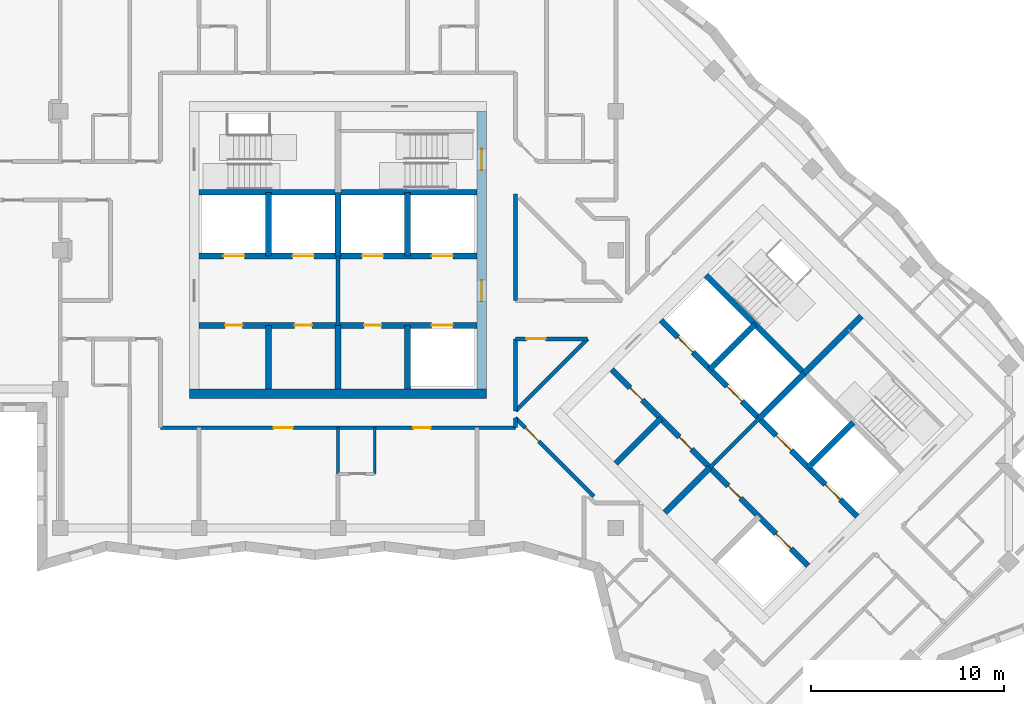
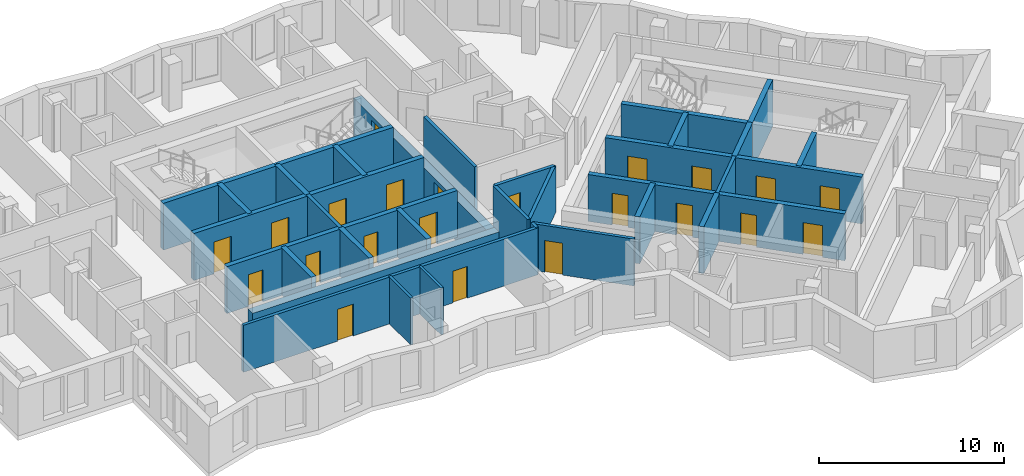
# One storey, part 4 of 12: 32 walls, 22 doors, 22 openings.
"""IFC4 building model written with IfcOpenShell, lengths in metres."""

from ifc_helpers import new_model, si_unit, direction, frame, frame_2d, origin, place, context, subcontext, project, spatial, rectangle, extrude, material, layer, layer_set, type_object, element, fill, save


model = new_model("IFC4")

# Units and contexts
model_context = context("Model", 3, precision=1e-05, world=origin(), true_north=direction((0.0, 1.0)))
body_context = subcontext(model_context, "Body", "Model", "MODEL_VIEW")
ifc_project = project(units=[si_unit("LENGTHUNIT", "METRE"), si_unit("AREAUNIT", "SQUARE_METRE"), si_unit("VOLUMEUNIT", "CUBIC_METRE"), si_unit("PLANEANGLEUNIT", "RADIAN"), si_unit("MASSUNIT", "GRAM", prefix="KILO")], contexts=[model_context])

# Site, building, storey
site_placement = place(None, origin())
site = spatial("IfcSite", under=ifc_project, at=site_placement, CompositionType="ELEMENT")
building_placement = place(site_placement, origin())
building = spatial("IfcBuilding", under=site, at=building_placement, Name="Windrow Commons", CompositionType="ELEMENT")
storey_placement = place(building_placement, frame((0.0, 0.0, 206.6)))
storey = spatial("IfcBuildingStorey", under=building, at=storey_placement, Name="L56", CompositionType="ELEMENT", Elevation=206.6)

# Walls
ifc_material_1 = material(Name="Blockwork partition", Category="masonry")
ifc_layer_1 = layer(ifc_material_1, 0.2)
ifc_layer_set_1 = layer_set([ifc_layer_1], Name="Fire lobby partition 200")
wall_type_1 = type_object("IfcWallType", Name="Fire lobby partition 200", PredefinedType="PARTITIONING", material=ifc_layer_set_1)
for number, where, z_axis, x_axis, name in (
    (1, (64.8, 53.7, 0.0), (0.0, 0.0, 1.0), (0.0, 1.0, 0.0), "W-core-lobby-A-L56"),
    (2, (84.079, 46.332, 0.0), (0.0, 0.0, 1.0), (0.7071067812, 0.7071067812, 0.0), "W-core-lobby-B-L56"),
):
    element("IfcWall", number, at=place(storey_placement, frame(where, z_axis=z_axis, x_axis=x_axis)), inside=storey, type_object=wall_type_1, Name=name, PredefinedType="PARTITIONING", context=body_context, shape_type="SweptSolid", body=[
        extrude(rectangle(XDim=3.6, YDim=0.2, at=frame_2d((1.8, 0.0))), origin(), (0.0, 0.0, 1.0), 3.1),
    ])

# Wall, openings, doors
ifc_material_2 = material(Name="Blockwork partition", Category="masonry")
ifc_layer_2 = layer(ifc_material_2, 0.2)
ifc_layer_set_2 = layer_set([ifc_layer_2], Name="IW-CORRIDOR-200")
wall_type_2 = type_object("IfcWallType", Name="IW-CORRIDOR-200", PredefinedType="PARTITIONING", material=ifc_layer_set_2)
wall_1_placement = place(storey_placement, frame((55.6, 48.4, 0.0), z_axis=(0.0, 0.0, 1.0), x_axis=(1.0, 0.0, 0.0)))
wall_1 = element("IfcWall", 3, at=wall_1_placement, inside=storey, type_object=wall_type_2, Name="W-L56-W000", PredefinedType="PARTITIONING", context=body_context, shape_type="SweptSolid", body=[
    extrude(rectangle(XDim=18.4, YDim=0.2, at=frame_2d((9.2, 0.0))), origin(), (0.0, 0.0, 1.0), 3.1),
])
opening_1_placement = place(wall_1_placement, frame((5.8625, 0.0, 0.0)))
opening_1 = element("IfcOpeningElement", 4, at=opening_1_placement, cuts=wall_1, Name="Opening D310F", PredefinedType="OPENING", context=body_context, shape_type="SweptSolid", body=[
    extrude(rectangle(XDim=1.0, YDim=2.1, at=frame_2d((0.5, 1.05))), frame((0.0, 0.11, 0.0), z_axis=(0.0, -1.0, 0.0), x_axis=(1.0, 0.0, 0.0)), (0.0, 0.0, 1.0), 0.22),
])
opening_2_placement = place(wall_1_placement, frame((13.0994, 0.0, 0.0)))
opening_2 = element("IfcOpeningElement", 5, at=opening_2_placement, cuts=wall_1, Name="Opening D109F", PredefinedType="OPENING", context=body_context, shape_type="SweptSolid", body=[
    extrude(rectangle(XDim=0.9, YDim=2.1, at=frame_2d((0.45, 1.05))), frame((0.0, 0.11, 0.0), z_axis=(0.0, -1.0, 0.0), x_axis=(1.0, 0.0, 0.0)), (0.0, 0.0, 1.0), 0.22),
])
ifc_material_3 = material(Name="Timber door leaf", Category="wood")
door_type_1 = type_object("IfcDoorType", Name="DT-AMENITY-1000", OperationType="SINGLE_SWING_LEFT", PredefinedType="DOOR", material=ifc_material_3)
door_1_placement = place(opening_1_placement, origin())
door_1 = element("IfcDoor", 6, at=door_1_placement, inside=storey, type_object=door_type_1, Name="D-L56-D030", OperationType="SINGLE_SWING_LEFT", OverallHeight=2.1, OverallWidth=1.0, PredefinedType="DOOR", context=body_context, shape_type="SweptSolid", body=[
    extrude(rectangle(XDim=1.0, YDim=2.1, at=frame_2d((0.5, 1.05))), frame((0.0, 0.025, 0.0), z_axis=(0.0, -1.0, 0.0), x_axis=(1.0, 0.0, 0.0)), (0.0, 0.0, 1.0), 0.05),
])
fill(opening_1, door_1)
ifc_material_4 = material(Name="Timber door leaf", Category="wood")
door_type_2 = type_object("IfcDoorType", Name="DT-BEDROOM-900", OperationType="SINGLE_SWING_LEFT", PredefinedType="DOOR", material=ifc_material_4)
door_2_placement = place(opening_2_placement, origin())
door_2 = element("IfcDoor", 7, at=door_2_placement, inside=storey, type_object=door_type_2, Name="D-L56-D031", OperationType="SINGLE_SWING_LEFT", OverallHeight=2.1, OverallWidth=0.9, PredefinedType="DOOR", context=body_context, shape_type="SweptSolid", body=[
    extrude(rectangle(XDim=0.9, YDim=2.1, at=frame_2d((0.45, 1.05))), frame((0.0, 0.025, 0.0), z_axis=(0.0, -1.0, 0.0), x_axis=(1.0, 0.0, 0.0)), (0.0, 0.0, 1.0), 0.05),
])
fill(opening_2, door_2)

# Wall, opening, door
wall_2_placement = place(storey_placement, frame((73.9987, 48.9107, 0.0), z_axis=(0.0, 0.0, 1.0), x_axis=(0.7071067812, -0.7071067812, 0.0)))
wall_2 = element("IfcWall", 8, at=wall_2_placement, inside=storey, type_object=wall_type_2, Name="W-L56-W027", PredefinedType="PARTITIONING", context=body_context, shape_type="SweptSolid", body=[
    extrude(rectangle(XDim=5.7445, YDim=0.2, at=frame_2d((2.8723, 0.0))), origin(), (0.0, 0.0, 1.0), 3.1),
])
opening_3_placement = place(wall_2_placement, frame((0.7238, 0.0, 0.0)))
opening_3 = element("IfcOpeningElement", 9, at=opening_3_placement, cuts=wall_2, Name="Opening D310F", PredefinedType="OPENING", context=body_context, shape_type="SweptSolid", body=[
    extrude(rectangle(XDim=1.0, YDim=2.1, at=frame_2d((0.5, 1.05))), frame((0.0, 0.11, 0.0), z_axis=(0.0, -1.0, 0.0), x_axis=(1.0, 0.0, 0.0)), (0.0, 0.0, 1.0), 0.22),
])
door_3_placement = place(opening_3_placement, origin())
door_3 = element("IfcDoor", 10, at=door_3_placement, inside=storey, type_object=door_type_1, Name="D-L56-D033", OperationType="SINGLE_SWING_LEFT", OverallHeight=2.1, OverallWidth=1.0, PredefinedType="DOOR", context=body_context, shape_type="SweptSolid", body=[
    extrude(rectangle(XDim=1.0, YDim=2.1, at=frame_2d((0.5, 1.05))), frame((0.0, 0.025, 0.0), z_axis=(0.0, -1.0, 0.0), x_axis=(1.0, 0.0, 0.0)), (0.0, 0.0, 1.0), 0.05),
])
fill(opening_3, door_3)

# Walls
wall_3_placement = place(storey_placement, frame((74.0, 55.002, 0.0), z_axis=(0.0, 0.0, 1.0), x_axis=(0.0, 1.0, 0.0)))
element("IfcWall", 11, at=wall_3_placement, inside=storey, type_object=wall_type_2, Name="W-L56-W030", PredefinedType="PARTITIONING", context=body_context, shape_type="SweptSolid", body=[
    extrude(rectangle(XDim=5.508, YDim=0.2, at=frame_2d((2.754, 0.0))), origin(), (0.0, 0.0, 1.0), 3.1),
])
wall_4_placement = place(storey_placement, frame((74.0013, 49.2667, 0.0), z_axis=(0.0, 0.0, 1.0), x_axis=(0.7071067812, 0.7071067812, 0.0)))
element("IfcWall", 12, at=wall_4_placement, inside=storey, type_object=wall_type_2, Name="W-L56-W031", PredefinedType="PARTITIONING", context=body_context, shape_type="SweptSolid", body=[
    extrude(rectangle(XDim=5.2778, YDim=0.2, at=frame_2d((2.6389, 0.0))), origin(), (0.0, 0.0, 1.0), 3.1),
])
wall_5_placement = place(storey_placement, frame((74.0, 49.266, 0.0), z_axis=(0.0, 0.0, 1.0), x_axis=(0.0, 1.0, 0.0)))
element("IfcWall", 13, at=wall_5_placement, inside=storey, type_object=wall_type_2, Name="W-L56-W046", PredefinedType="PARTITIONING", context=body_context, shape_type="SweptSolid", body=[
    extrude(rectangle(XDim=3.734, YDim=0.2, at=frame_2d((1.867, 0.0))), origin(), (0.0, 0.0, 1.0), 3.1),
])

# Wall, opening, door
wall_6_placement = place(storey_placement, frame((74.002, 53.0, 0.0), z_axis=(0.0, 0.0, 1.0), x_axis=(1.0, 0.0, 0.0)))
wall_6 = element("IfcWall", 14, at=wall_6_placement, inside=storey, type_object=wall_type_2, Name="W-L56-W047", PredefinedType="PARTITIONING", context=body_context, shape_type="SweptSolid", body=[
    extrude(rectangle(XDim=3.732, YDim=0.2, at=frame_2d((1.866, 0.0))), origin(), (0.0, 0.0, 1.0), 3.1),
])
opening_4_placement = place(wall_6_placement, frame((0.5641, 0.0, 0.0)))
opening_4 = element("IfcOpeningElement", 15, at=opening_4_placement, cuts=wall_6, Name="Opening D410F", PredefinedType="OPENING", context=body_context, shape_type="SweptSolid", body=[
    extrude(rectangle(XDim=1.0, YDim=2.1, at=frame_2d((0.5, 1.05))), frame((0.0, 0.11, 0.0), z_axis=(0.0, -1.0, 0.0), x_axis=(1.0, 0.0, 0.0)), (0.0, 0.0, 1.0), 0.22),
])
ifc_material_5 = material(Name="Timber door leaf", Category="wood")
door_type_3 = type_object("IfcDoorType", Name="DT-SERVICE-1000", OperationType="SINGLE_SWING_LEFT", PredefinedType="DOOR", material=ifc_material_5)
door_4_placement = place(opening_4_placement, origin())
door_4 = element("IfcDoor", 16, at=door_4_placement, inside=storey, type_object=door_type_3, Name="D-L56-D000", OperationType="SINGLE_SWING_RIGHT", OverallHeight=2.1, OverallWidth=1.0, PredefinedType="DOOR", context=body_context, shape_type="SweptSolid", body=[
    extrude(rectangle(XDim=1.0, YDim=2.1, at=frame_2d((0.5, 1.05))), frame((0.0, 0.025, 0.0), z_axis=(0.0, -1.0, 0.0), x_axis=(1.0, 0.0, 0.0)), (0.0, 0.0, 1.0), 0.05),
])
fill(opening_4, door_4)

# Walls
wall_7_placement = place(storey_placement, frame((74.0, 48.4, 0.0), z_axis=(0.0, 0.0, 1.0), x_axis=(0.0, 1.0, 0.0)))
element("IfcWall", 17, at=wall_7_placement, inside=storey, type_object=wall_type_2, Name="W-L56-W139", PredefinedType="PARTITIONING", context=body_context, shape_type="SweptSolid", body=[
    extrude(rectangle(XDim=0.514, YDim=0.2, at=frame_2d((0.257, 0.0))), origin(), (0.0, 0.0, 1.0), 3.1),
])
ifc_material_6 = material(Name="Blockwork partition", Category="masonry")
ifc_layer_3 = layer(ifc_material_6, 0.15)
ifc_layer_set_3 = layer_set([ifc_layer_3], Name="IW-ENSUITE-150")
wall_type_3 = type_object("IfcWallType", Name="IW-ENSUITE-150", PredefinedType="PARTITIONING", material=ifc_layer_set_3)
for number, where, z_axis, x_axis, name in (
    (18, (66.7, 46.0, 0.0), (0.0, 0.0, 1.0), (0.0, 1.0, 0.0), "W-L56-W070"),
    (19, (64.8, 46.0, 0.0), (0.0, 0.0, 1.0), (0.0, 1.0, 0.0), "W-L56-W071"),
):
    element("IfcWall", number, at=place(storey_placement, frame(where, z_axis=z_axis, x_axis=x_axis)), inside=storey, type_object=wall_type_3, Name=name, PredefinedType="PARTITIONING", context=body_context, shape_type="SweptSolid", body=[
        extrude(rectangle(XDim=2.4, YDim=0.15, at=frame_2d((1.2, 0.0))), origin(), (0.0, 0.0, 1.0), 3.1),
    ])
ifc_material_7 = material(Name="Concrete C40/50", Category="concrete")
ifc_layer_4 = layer(ifc_material_7, 0.5)
ifc_layer_set_4 = layer_set([ifc_layer_4], Name="RC CORE WALL 500 C40/50")
wall_type_4 = type_object("IfcWallType", Name="RC CORE WALL 500 C40/50", PredefinedType="SHEAR", material=ifc_layer_set_4)
wall_8_placement = place(storey_placement, frame((57.1, 50.15, -0.3), z_axis=(0.0, 0.0, 1.0), x_axis=(1.0, 0.0, 0.0)))
element("IfcWall", 20, at=wall_8_placement, inside=storey, type_object=wall_type_4, Name="Core A wall outer-S", PredefinedType="SHEAR", context=body_context, shape_type="SweptSolid", body=[
    extrude(rectangle(XDim=15.4, YDim=0.5, at=frame_2d((7.7, 0.0))), origin(), (0.0, 0.0, 1.0), 2.7),
])

# Wall, openings, doors
wall_9_placement = place(storey_placement, frame((72.25, 50.4, -0.3), z_axis=(0.0, 0.0, 1.0), x_axis=(0.0, 1.0, 0.0)))
wall_9 = element("IfcWall", 21, at=wall_9_placement, inside=storey, type_object=wall_type_4, Name="Core A wall outer-E", PredefinedType="SHEAR", context=body_context, shape_type="SweptSolid", body=[
    extrude(rectangle(XDim=14.4, YDim=0.5, at=frame_2d((7.2, 0.0))), origin(), (0.0, 0.0, 1.0), 2.7),
])
opening_5_placement = place(wall_9_placement, frame((4.55, 0.0, 0.3)))
opening_5 = element("IfcOpeningElement", 22, at=opening_5_placement, cuts=wall_9, Name="Opening D6", PredefinedType="OPENING", context=body_context, shape_type="SweptSolid", body=[
    extrude(rectangle(XDim=1.1, YDim=2.1, at=frame_2d((0.55, 1.05))), frame((0.0, 0.26, 0.0), z_axis=(0.0, -1.0, 0.0), x_axis=(1.0, 0.0, 0.0)), (0.0, 0.0, 1.0), 0.52),
])
opening_6_placement = place(wall_9_placement, frame((11.35, 0.0, 0.3)))
opening_6 = element("IfcOpeningElement", 23, at=opening_6_placement, cuts=wall_9, Name="Opening D7", PredefinedType="OPENING", context=body_context, shape_type="SweptSolid", body=[
    extrude(rectangle(XDim=1.1, YDim=2.1, at=frame_2d((0.55, 1.05))), frame((0.0, 0.26, 0.0), z_axis=(0.0, -1.0, 0.0), x_axis=(1.0, 0.0, 0.0)), (0.0, 0.0, 1.0), 0.52),
])
ifc_material_8 = material(Name="Steel fire door leaf", Category="steel")
door_type_4 = type_object("IfcDoorType", Name="Core lobby door 1100", OperationType="SINGLE_SWING_LEFT", PredefinedType="DOOR", material=ifc_material_8)
door_5_placement = place(opening_5_placement, origin())
door_5 = element("IfcDoor", 24, at=door_5_placement, inside=storey, type_object=door_type_4, Name="Lift lobby door", OperationType="DOUBLE_DOOR_SINGLE_SWING", OverallHeight=2.1, OverallWidth=1.1, PredefinedType="DOOR", context=body_context, shape_type="SweptSolid", body=[
    extrude(rectangle(XDim=1.1, YDim=2.1, at=frame_2d((0.55, 1.05))), frame((0.0, 0.025, 0.0), z_axis=(0.0, -1.0, 0.0), x_axis=(1.0, 0.0, 0.0)), (0.0, 0.0, 1.0), 0.05),
])
fill(opening_5, door_5)
ifc_material_9 = material(Name="Steel fire door leaf", Category="steel")
door_type_5 = type_object("IfcDoorType", Name="Stair door 1100", OperationType="SINGLE_SWING_LEFT", PredefinedType="DOOR", material=ifc_material_9)
door_6_placement = place(opening_6_placement, origin())
door_6 = element("IfcDoor", 25, at=door_6_placement, inside=storey, type_object=door_type_5, Name="Stair door", OperationType="SINGLE_SWING_RIGHT", OverallHeight=2.1, OverallWidth=1.1, PredefinedType="DOOR", context=body_context, shape_type="SweptSolid", body=[
    extrude(rectangle(XDim=1.1, YDim=2.1, at=frame_2d((0.55, 1.05))), frame((0.0, 0.025, 0.0), z_axis=(0.0, -1.0, 0.0), x_axis=(1.0, 0.0, 0.0)), (0.0, 0.0, 1.0), 0.05),
])
fill(opening_6, door_6)

# Walls
ifc_material_10 = material(Name="Concrete C40/50", Category="concrete")
ifc_layer_5 = layer(ifc_material_10, 0.3)
ifc_layer_set_5 = layer_set([ifc_layer_5], Name="RC SHAFT WALL 300 C40/50")
wall_type_5 = type_object("IfcWallType", Name="RC SHAFT WALL 300 C40/50", PredefinedType="SOLIDWALL", material=ifc_layer_set_5)
for number, where, z_axis, x_axis, name in (
    (26, (61.2, 50.4, 0.0), (0.0, 0.0, 1.0), (0.0, 1.0, 0.0), "Core A wall shaft-S1"),
    (27, (61.2, 57.3, 0.0), (0.0, 0.0, 1.0), (0.0, 1.0, 0.0), "Core A wall shaft-N1"),
    (28, (64.8, 50.4, 0.0), (0.0, 0.0, 1.0), (0.0, 1.0, 0.0), "Core A wall shaft-S2"),
    (29, (64.8, 57.3, 0.0), (0.0, 0.0, 1.0), (0.0, 1.0, 0.0), "Core A wall shaft-N2"),
    (30, (68.4, 50.4, 0.0), (0.0, 0.0, 1.0), (0.0, 1.0, 0.0), "Core A wall shaft-S3"),
    (31, (68.4, 57.3, 0.0), (0.0, 0.0, 1.0), (0.0, 1.0, 0.0), "Core A wall shaft-N3"),
):
    element("IfcWall", number, at=place(storey_placement, frame(where, z_axis=z_axis, x_axis=x_axis)), inside=storey, type_object=wall_type_5, Name=name, PredefinedType="SOLIDWALL", context=body_context, shape_type="SweptSolid", body=[
        extrude(rectangle(XDim=3.3, YDim=0.3, at=frame_2d((1.65, 0.0))), origin(), (0.0, 0.0, 1.0), 3.1),
    ])

# Wall, openings, doors
wall_10_placement = place(storey_placement, frame((57.6, 53.7, 0.0), z_axis=(0.0, 0.0, 1.0), x_axis=(1.0, 0.0, 0.0)))
wall_10 = element("IfcWall", 32, at=wall_10_placement, inside=storey, type_object=wall_type_5, Name="Core A wall lobby-S", PredefinedType="SOLIDWALL", context=body_context, shape_type="SweptSolid", body=[
    extrude(rectangle(XDim=14.4, YDim=0.3, at=frame_2d((7.2, 0.0))), origin(), (0.0, 0.0, 1.0), 3.1),
])
opening_7_placement = place(wall_10_placement, frame((1.35, 0.0, 0.0)))
opening_7 = element("IfcOpeningElement", 33, at=opening_7_placement, cuts=wall_10, Name="Opening D8", PredefinedType="OPENING", context=body_context, shape_type="SweptSolid", body=[
    extrude(rectangle(XDim=0.9, YDim=2.1, at=frame_2d((0.45, 1.05))), frame((0.0, 0.16, 0.0), z_axis=(0.0, -1.0, 0.0), x_axis=(1.0, 0.0, 0.0)), (0.0, 0.0, 1.0), 0.32),
])
opening_8_placement = place(wall_10_placement, frame((4.95, 0.0, 0.0)))
opening_8 = element("IfcOpeningElement", 34, at=opening_8_placement, cuts=wall_10, Name="Opening D8", PredefinedType="OPENING", context=body_context, shape_type="SweptSolid", body=[
    extrude(rectangle(XDim=0.9, YDim=2.1, at=frame_2d((0.45, 1.05))), frame((0.0, 0.16, 0.0), z_axis=(0.0, -1.0, 0.0), x_axis=(1.0, 0.0, 0.0)), (0.0, 0.0, 1.0), 0.32),
])
opening_9_placement = place(wall_10_placement, frame((8.55, 0.0, 0.0)))
opening_9 = element("IfcOpeningElement", 35, at=opening_9_placement, cuts=wall_10, Name="Opening D8", PredefinedType="OPENING", context=body_context, shape_type="SweptSolid", body=[
    extrude(rectangle(XDim=0.9, YDim=2.1, at=frame_2d((0.45, 1.05))), frame((0.0, 0.16, 0.0), z_axis=(0.0, -1.0, 0.0), x_axis=(1.0, 0.0, 0.0)), (0.0, 0.0, 1.0), 0.32),
])
opening_10_placement = place(wall_10_placement, frame((12.05, 0.0, 0.0)))
opening_10 = element("IfcOpeningElement", 36, at=opening_10_placement, cuts=wall_10, Name="Opening LD", PredefinedType="OPENING", context=body_context, shape_type="SweptSolid", body=[
    extrude(rectangle(XDim=1.1, YDim=2.1, at=frame_2d((0.55, 1.05))), frame((0.0, 0.16, 0.0), z_axis=(0.0, -1.0, 0.0), x_axis=(1.0, 0.0, 0.0)), (0.0, 0.0, 1.0), 0.32),
])
ifc_material_11 = material(Name="Steel fire door leaf", Category="steel")
door_type_6 = type_object("IfcDoorType", Name="Core store door 900", OperationType="SINGLE_SWING_LEFT", PredefinedType="DOOR", material=ifc_material_11)
door_7_placement = place(opening_7_placement, origin())
door_7 = element("IfcDoor", 37, at=door_7_placement, inside=storey, type_object=door_type_6, Name="Store door", OperationType="SINGLE_SWING_LEFT", OverallHeight=2.1, OverallWidth=0.9, PredefinedType="DOOR", context=body_context, shape_type="SweptSolid", body=[
    extrude(rectangle(XDim=0.9, YDim=2.1, at=frame_2d((0.45, 1.05))), frame((0.0, 0.025, 0.0), z_axis=(0.0, -1.0, 0.0), x_axis=(1.0, 0.0, 0.0)), (0.0, 0.0, 1.0), 0.05),
])
fill(opening_7, door_7)
door_8_placement = place(opening_8_placement, origin())
door_8 = element("IfcDoor", 38, at=door_8_placement, inside=storey, type_object=door_type_6, Name="Store door", OperationType="SINGLE_SWING_LEFT", OverallHeight=2.1, OverallWidth=0.9, PredefinedType="DOOR", context=body_context, shape_type="SweptSolid", body=[
    extrude(rectangle(XDim=0.9, YDim=2.1, at=frame_2d((0.45, 1.05))), frame((0.0, 0.025, 0.0), z_axis=(0.0, -1.0, 0.0), x_axis=(1.0, 0.0, 0.0)), (0.0, 0.0, 1.0), 0.05),
])
fill(opening_8, door_8)
door_9_placement = place(opening_9_placement, origin())
door_9 = element("IfcDoor", 39, at=door_9_placement, inside=storey, type_object=door_type_6, Name="Store door", OperationType="SINGLE_SWING_LEFT", OverallHeight=2.1, OverallWidth=0.9, PredefinedType="DOOR", context=body_context, shape_type="SweptSolid", body=[
    extrude(rectangle(XDim=0.9, YDim=2.1, at=frame_2d((0.45, 1.05))), frame((0.0, 0.025, 0.0), z_axis=(0.0, -1.0, 0.0), x_axis=(1.0, 0.0, 0.0)), (0.0, 0.0, 1.0), 0.05),
])
fill(opening_9, door_9)
ifc_material_12 = material(Name="Stainless steel door leaf", Category="steel")
door_type_7 = type_object("IfcDoorType", Name="Lift landing door 1100", OperationType="SLIDING_TO_LEFT", PredefinedType="DOOR", material=ifc_material_12)
door_10_placement = place(opening_10_placement, origin())
door_10 = element("IfcDoor", 40, at=door_10_placement, inside=storey, type_object=door_type_7, Name="Lift landing door", OperationType="SLIDING_TO_RIGHT", OverallHeight=2.1, OverallWidth=1.1, PredefinedType="DOOR", context=body_context, shape_type="SweptSolid", body=[
    extrude(rectangle(XDim=1.1, YDim=2.1, at=frame_2d((0.55, 1.05))), frame((0.0, 0.025, 0.0), z_axis=(0.0, -1.0, 0.0), x_axis=(1.0, 0.0, 0.0)), (0.0, 0.0, 1.0), 0.05),
])
fill(opening_10, door_10)

wall_11_placement = place(storey_placement, frame((57.6, 57.3, 0.0), z_axis=(0.0, 0.0, 1.0), x_axis=(1.0, 0.0, 0.0)))
wall_11 = element("IfcWall", 41, at=wall_11_placement, inside=storey, type_object=wall_type_5, Name="Core A wall lobby-N", PredefinedType="SOLIDWALL", context=body_context, shape_type="SweptSolid", body=[
    extrude(rectangle(XDim=14.4, YDim=0.3, at=frame_2d((7.2, 0.0))), origin(), (0.0, 0.0, 1.0), 3.1),
])
opening_11_placement = place(wall_11_placement, frame((1.25, 0.0, 0.0)))
opening_11 = element("IfcOpeningElement", 42, at=opening_11_placement, cuts=wall_11, Name="Opening LD", PredefinedType="OPENING", context=body_context, shape_type="SweptSolid", body=[
    extrude(rectangle(XDim=1.1, YDim=2.1, at=frame_2d((0.55, 1.05))), frame((0.0, 0.16, 0.0), z_axis=(0.0, -1.0, 0.0), x_axis=(1.0, 0.0, 0.0)), (0.0, 0.0, 1.0), 0.32),
])
opening_12_placement = place(wall_11_placement, frame((4.85, 0.0, 0.0)))
opening_12 = element("IfcOpeningElement", 43, at=opening_12_placement, cuts=wall_11, Name="Opening LD", PredefinedType="OPENING", context=body_context, shape_type="SweptSolid", body=[
    extrude(rectangle(XDim=1.1, YDim=2.1, at=frame_2d((0.55, 1.05))), frame((0.0, 0.16, 0.0), z_axis=(0.0, -1.0, 0.0), x_axis=(1.0, 0.0, 0.0)), (0.0, 0.0, 1.0), 0.32),
])
opening_13_placement = place(wall_11_placement, frame((8.45, 0.0, 0.0)))
opening_13 = element("IfcOpeningElement", 44, at=opening_13_placement, cuts=wall_11, Name="Opening LD", PredefinedType="OPENING", context=body_context, shape_type="SweptSolid", body=[
    extrude(rectangle(XDim=1.1, YDim=2.1, at=frame_2d((0.55, 1.05))), frame((0.0, 0.16, 0.0), z_axis=(0.0, -1.0, 0.0), x_axis=(1.0, 0.0, 0.0)), (0.0, 0.0, 1.0), 0.32),
])
opening_14_placement = place(wall_11_placement, frame((12.05, 0.0, 0.0)))
opening_14 = element("IfcOpeningElement", 45, at=opening_14_placement, cuts=wall_11, Name="Opening LD", PredefinedType="OPENING", context=body_context, shape_type="SweptSolid", body=[
    extrude(rectangle(XDim=1.1, YDim=2.1, at=frame_2d((0.55, 1.05))), frame((0.0, 0.16, 0.0), z_axis=(0.0, -1.0, 0.0), x_axis=(1.0, 0.0, 0.0)), (0.0, 0.0, 1.0), 0.32),
])
door_11_placement = place(opening_11_placement, origin())
door_11 = element("IfcDoor", 46, at=door_11_placement, inside=storey, type_object=door_type_7, Name="Lift landing door", OperationType="SLIDING_TO_LEFT", OverallHeight=2.1, OverallWidth=1.1, PredefinedType="DOOR", context=body_context, shape_type="SweptSolid", body=[
    extrude(rectangle(XDim=1.1, YDim=2.1, at=frame_2d((0.55, 1.05))), frame((0.0, 0.025, 0.0), z_axis=(0.0, -1.0, 0.0), x_axis=(1.0, 0.0, 0.0)), (0.0, 0.0, 1.0), 0.05),
])
fill(opening_11, door_11)
door_12_placement = place(opening_12_placement, origin())
door_12 = element("IfcDoor", 47, at=door_12_placement, inside=storey, type_object=door_type_7, Name="Lift landing door", OperationType="SLIDING_TO_RIGHT", OverallHeight=2.1, OverallWidth=1.1, PredefinedType="DOOR", context=body_context, shape_type="SweptSolid", body=[
    extrude(rectangle(XDim=1.1, YDim=2.1, at=frame_2d((0.55, 1.05))), frame((0.0, 0.025, 0.0), z_axis=(0.0, -1.0, 0.0), x_axis=(1.0, 0.0, 0.0)), (0.0, 0.0, 1.0), 0.05),
])
fill(opening_12, door_12)
door_13_placement = place(opening_13_placement, origin())
door_13 = element("IfcDoor", 48, at=door_13_placement, inside=storey, type_object=door_type_7, Name="Lift landing door", OperationType="SLIDING_TO_LEFT", OverallHeight=2.1, OverallWidth=1.1, PredefinedType="DOOR", context=body_context, shape_type="SweptSolid", body=[
    extrude(rectangle(XDim=1.1, YDim=2.1, at=frame_2d((0.55, 1.05))), frame((0.0, 0.025, 0.0), z_axis=(0.0, -1.0, 0.0), x_axis=(1.0, 0.0, 0.0)), (0.0, 0.0, 1.0), 0.05),
])
fill(opening_13, door_13)
door_14_placement = place(opening_14_placement, origin())
door_14 = element("IfcDoor", 49, at=door_14_placement, inside=storey, type_object=door_type_7, Name="Lift landing door", OperationType="SLIDING_TO_RIGHT", OverallHeight=2.1, OverallWidth=1.1, PredefinedType="DOOR", context=body_context, shape_type="SweptSolid", body=[
    extrude(rectangle(XDim=1.1, YDim=2.1, at=frame_2d((0.55, 1.05))), frame((0.0, 0.025, 0.0), z_axis=(0.0, -1.0, 0.0), x_axis=(1.0, 0.0, 0.0)), (0.0, 0.0, 1.0), 0.05),
])
fill(opening_14, door_14)

# Walls
for number, where, z_axis, x_axis, name in (
    (50, (57.6, 60.6, 0.0), (0.0, 0.0, 1.0), (1.0, 0.0, 0.0), "Core A wall stair-S"),
    (51, (64.8, 60.6, 0.0), (0.0, 0.0, 1.0), (1.0, 0.0, 0.0), "Core A wall stair-S2"),
):
    element("IfcWall", number, at=place(storey_placement, frame(where, z_axis=z_axis, x_axis=x_axis)), inside=storey, type_object=wall_type_5, Name=name, PredefinedType="SOLIDWALL", context=body_context, shape_type="SweptSolid", body=[
        extrude(rectangle(XDim=7.2, YDim=0.3, at=frame_2d((3.6, 0.0))), origin(), (0.0, 0.0, 1.0), 3.1),
    ])
for number, where, z_axis, x_axis, name in (
    (52, (79.2, 46.5442, 0.0), (0.0, 0.0, 1.0), (0.7071219326, 0.7070916295, 0.0), "Core B wall shaft-S1"),
    (53, (84.079, 51.4232, 0.0), (0.0, 0.0, 1.0), (0.7071219326, 0.7070916295, 0.0), "Core B wall shaft-N1"),
):
    element("IfcWall", number, at=place(storey_placement, frame(where, z_axis=z_axis, x_axis=x_axis)), inside=storey, type_object=wall_type_5, Name=name, PredefinedType="SOLIDWALL", context=body_context, shape_type="SweptSolid", body=[
        extrude(rectangle(XDim=3.3, YDim=0.3, at=frame_2d((1.65, 0.0))), origin(), (0.0, 0.0, 1.0), 3.1),
    ])
wall_12_placement = place(storey_placement, frame((81.7456, 43.9986, 0.0), z_axis=(0.0, 0.0, 1.0), x_axis=(0.7071067812, 0.7071067812, 0.0)))
element("IfcWall", 54, at=wall_12_placement, inside=storey, type_object=wall_type_5, Name="Core B wall shaft-S2", PredefinedType="SOLIDWALL", context=body_context, shape_type="SweptSolid", body=[
    extrude(rectangle(XDim=3.2999, YDim=0.3, at=frame_2d((1.65, 0.0))), origin(), (0.0, 0.0, 1.0), 3.1),
])
for number, where, z_axis, x_axis, name in (
    (55, (86.6246, 48.8776, 0.0), (0.0, 0.0, 1.0), (0.7071067812, 0.7071067812, 0.0), "Core B wall shaft-N2"),
    (56, (89.1702, 46.332, 0.0), (0.0, 0.0, 1.0), (0.7071067812, 0.7071067812, 0.0), "Core B wall shaft-N3"),
):
    element("IfcWall", number, at=place(storey_placement, frame(where, z_axis=z_axis, x_axis=x_axis)), inside=storey, type_object=wall_type_5, Name=name, PredefinedType="SOLIDWALL", context=body_context, shape_type="SweptSolid", body=[
        extrude(rectangle(XDim=3.3001, YDim=0.3, at=frame_2d((1.6501, 0.0))), origin(), (0.0, 0.0, 1.0), 3.1),
    ])

# Wall, openings, doors
wall_13_placement = place(storey_placement, frame((78.9879, 51.4232, 0.0), z_axis=(0.0, 0.0, 1.0), x_axis=(0.7071067812, -0.7071067812, 0.0)))
wall_13 = element("IfcWall", 57, at=wall_13_placement, inside=storey, type_object=wall_type_5, Name="Core B wall lobby-S", PredefinedType="SOLIDWALL", context=body_context, shape_type="SweptSolid", body=[
    extrude(rectangle(XDim=14.3999, YDim=0.3, at=frame_2d((7.2, 0.0))), origin(), (0.0, 0.0, 1.0), 3.1),
])
opening_15_placement = place(wall_13_placement, frame((1.35, 0.0, 0.0)))
opening_15 = element("IfcOpeningElement", 58, at=opening_15_placement, cuts=wall_13, Name="Opening D8", PredefinedType="OPENING", context=body_context, shape_type="SweptSolid", body=[
    extrude(rectangle(XDim=0.9, YDim=2.1, at=frame_2d((0.45, 1.05))), frame((0.0, 0.16, 0.0), z_axis=(0.0, -1.0, 0.0), x_axis=(1.0, 0.0, 0.0)), (0.0, 0.0, 1.0), 0.32),
])
opening_16_placement = place(wall_13_placement, frame((4.95, 0.0, 0.0)))
opening_16 = element("IfcOpeningElement", 59, at=opening_16_placement, cuts=wall_13, Name="Opening D8", PredefinedType="OPENING", context=body_context, shape_type="SweptSolid", body=[
    extrude(rectangle(XDim=0.9, YDim=2.1, at=frame_2d((0.45, 1.05))), frame((0.0, 0.16, 0.0), z_axis=(0.0, -1.0, 0.0), x_axis=(1.0, 0.0, 0.0)), (0.0, 0.0, 1.0), 0.32),
])
opening_17_placement = place(wall_13_placement, frame((8.55, 0.0, 0.0)))
opening_17 = element("IfcOpeningElement", 60, at=opening_17_placement, cuts=wall_13, Name="Opening D8", PredefinedType="OPENING", context=body_context, shape_type="SweptSolid", body=[
    extrude(rectangle(XDim=0.9, YDim=2.1, at=frame_2d((0.45, 1.05))), frame((0.0, 0.16, 0.0), z_axis=(0.0, -1.0, 0.0), x_axis=(1.0, 0.0, 0.0)), (0.0, 0.0, 1.0), 0.32),
])
opening_18_placement = place(wall_13_placement, frame((12.05, 0.0, 0.0)))
opening_18 = element("IfcOpeningElement", 61, at=opening_18_placement, cuts=wall_13, Name="Opening LD", PredefinedType="OPENING", context=body_context, shape_type="SweptSolid", body=[
    extrude(rectangle(XDim=1.1, YDim=2.1, at=frame_2d((0.55, 1.05))), frame((0.0, 0.16, 0.0), z_axis=(0.0, -1.0, 0.0), x_axis=(1.0, 0.0, 0.0)), (0.0, 0.0, 1.0), 0.32),
])
door_15_placement = place(opening_15_placement, origin())
door_15 = element("IfcDoor", 62, at=door_15_placement, inside=storey, type_object=door_type_6, Name="Store door", OperationType="SINGLE_SWING_LEFT", OverallHeight=2.1, OverallWidth=0.9, PredefinedType="DOOR", context=body_context, shape_type="SweptSolid", body=[
    extrude(rectangle(XDim=0.9, YDim=2.1, at=frame_2d((0.45, 1.05))), frame((0.0, 0.025, 0.0), z_axis=(0.0, -1.0, 0.0), x_axis=(1.0, 0.0, 0.0)), (0.0, 0.0, 1.0), 0.05),
])
fill(opening_15, door_15)
door_16_placement = place(opening_16_placement, origin())
door_16 = element("IfcDoor", 63, at=door_16_placement, inside=storey, type_object=door_type_6, Name="Store door", OperationType="SINGLE_SWING_LEFT", OverallHeight=2.1, OverallWidth=0.9, PredefinedType="DOOR", context=body_context, shape_type="SweptSolid", body=[
    extrude(rectangle(XDim=0.9, YDim=2.1, at=frame_2d((0.45, 1.05))), frame((0.0, 0.025, 0.0), z_axis=(0.0, -1.0, 0.0), x_axis=(1.0, 0.0, 0.0)), (0.0, 0.0, 1.0), 0.05),
])
fill(opening_16, door_16)
door_17_placement = place(opening_17_placement, origin())
door_17 = element("IfcDoor", 64, at=door_17_placement, inside=storey, type_object=door_type_6, Name="Store door", OperationType="SINGLE_SWING_LEFT", OverallHeight=2.1, OverallWidth=0.9, PredefinedType="DOOR", context=body_context, shape_type="SweptSolid", body=[
    extrude(rectangle(XDim=0.9, YDim=2.1, at=frame_2d((0.45, 1.05))), frame((0.0, 0.025, 0.0), z_axis=(0.0, -1.0, 0.0), x_axis=(1.0, 0.0, 0.0)), (0.0, 0.0, 1.0), 0.05),
])
fill(opening_17, door_17)
door_18_placement = place(opening_18_placement, origin())
door_18 = element("IfcDoor", 65, at=door_18_placement, inside=storey, type_object=door_type_7, Name="Lift landing door", OperationType="SLIDING_TO_RIGHT", OverallHeight=2.1, OverallWidth=1.1, PredefinedType="DOOR", context=body_context, shape_type="SweptSolid", body=[
    extrude(rectangle(XDim=1.1, YDim=2.1, at=frame_2d((0.55, 1.05))), frame((0.0, 0.025, 0.0), z_axis=(0.0, -1.0, 0.0), x_axis=(1.0, 0.0, 0.0)), (0.0, 0.0, 1.0), 0.05),
])
fill(opening_18, door_18)

wall_14_placement = place(storey_placement, frame((81.5335, 53.9688, 0.0), z_axis=(0.0, 0.0, 1.0), x_axis=(0.707103309, -0.7071102534, 0.0)))
wall_14 = element("IfcWall", 66, at=wall_14_placement, inside=storey, type_object=wall_type_5, Name="Core B wall lobby-N", PredefinedType="SOLIDWALL", context=body_context, shape_type="SweptSolid", body=[
    extrude(rectangle(XDim=14.4, YDim=0.3, at=frame_2d((7.2, 0.0))), origin(), (0.0, 0.0, 1.0), 3.1),
])
opening_19_placement = place(wall_14_placement, frame((1.25, 0.0, 0.0)))
opening_19 = element("IfcOpeningElement", 67, at=opening_19_placement, cuts=wall_14, Name="Opening LD", PredefinedType="OPENING", context=body_context, shape_type="SweptSolid", body=[
    extrude(rectangle(XDim=1.1, YDim=2.1, at=frame_2d((0.55, 1.05))), frame((0.0, 0.16, 0.0), z_axis=(0.0, -1.0, 0.0), x_axis=(1.0, 0.0, 0.0)), (0.0, 0.0, 1.0), 0.32),
])
opening_20_placement = place(wall_14_placement, frame((4.85, 0.0, 0.0)))
opening_20 = element("IfcOpeningElement", 68, at=opening_20_placement, cuts=wall_14, Name="Opening LD", PredefinedType="OPENING", context=body_context, shape_type="SweptSolid", body=[
    extrude(rectangle(XDim=1.1, YDim=2.1, at=frame_2d((0.55, 1.05))), frame((0.0, 0.16, 0.0), z_axis=(0.0, -1.0, 0.0), x_axis=(1.0, 0.0, 0.0)), (0.0, 0.0, 1.0), 0.32),
])
opening_21_placement = place(wall_14_placement, frame((8.45, 0.0, 0.0)))
opening_21 = element("IfcOpeningElement", 69, at=opening_21_placement, cuts=wall_14, Name="Opening LD", PredefinedType="OPENING", context=body_context, shape_type="SweptSolid", body=[
    extrude(rectangle(XDim=1.1, YDim=2.1, at=frame_2d((0.55, 1.05))), frame((0.0, 0.16, 0.0), z_axis=(0.0, -1.0, 0.0), x_axis=(1.0, 0.0, 0.0)), (0.0, 0.0, 1.0), 0.32),
])
opening_22_placement = place(wall_14_placement, frame((12.05, 0.0, 0.0)))
opening_22 = element("IfcOpeningElement", 70, at=opening_22_placement, cuts=wall_14, Name="Opening LD", PredefinedType="OPENING", context=body_context, shape_type="SweptSolid", body=[
    extrude(rectangle(XDim=1.1, YDim=2.1, at=frame_2d((0.55, 1.05))), frame((0.0, 0.16, 0.0), z_axis=(0.0, -1.0, 0.0), x_axis=(1.0, 0.0, 0.0)), (0.0, 0.0, 1.0), 0.32),
])
door_19_placement = place(opening_19_placement, origin())
door_19 = element("IfcDoor", 71, at=door_19_placement, inside=storey, type_object=door_type_7, Name="Lift landing door", OperationType="SLIDING_TO_LEFT", OverallHeight=2.1, OverallWidth=1.1, PredefinedType="DOOR", context=body_context, shape_type="SweptSolid", body=[
    extrude(rectangle(XDim=1.1, YDim=2.1, at=frame_2d((0.55, 1.05))), frame((0.0, 0.025, 0.0), z_axis=(0.0, -1.0, 0.0), x_axis=(1.0, 0.0, 0.0)), (0.0, 0.0, 1.0), 0.05),
])
fill(opening_19, door_19)
door_20_placement = place(opening_20_placement, origin())
door_20 = element("IfcDoor", 72, at=door_20_placement, inside=storey, type_object=door_type_7, Name="Lift landing door", OperationType="SLIDING_TO_RIGHT", OverallHeight=2.1, OverallWidth=1.1, PredefinedType="DOOR", context=body_context, shape_type="SweptSolid", body=[
    extrude(rectangle(XDim=1.1, YDim=2.1, at=frame_2d((0.55, 1.05))), frame((0.0, 0.025, 0.0), z_axis=(0.0, -1.0, 0.0), x_axis=(1.0, 0.0, 0.0)), (0.0, 0.0, 1.0), 0.05),
])
fill(opening_20, door_20)
door_21_placement = place(opening_21_placement, origin())
door_21 = element("IfcDoor", 73, at=door_21_placement, inside=storey, type_object=door_type_7, Name="Lift landing door", OperationType="SLIDING_TO_LEFT", OverallHeight=2.1, OverallWidth=1.1, PredefinedType="DOOR", context=body_context, shape_type="SweptSolid", body=[
    extrude(rectangle(XDim=1.1, YDim=2.1, at=frame_2d((0.55, 1.05))), frame((0.0, 0.025, 0.0), z_axis=(0.0, -1.0, 0.0), x_axis=(1.0, 0.0, 0.0)), (0.0, 0.0, 1.0), 0.05),
])
fill(opening_21, door_21)
door_22_placement = place(opening_22_placement, origin())
door_22 = element("IfcDoor", 74, at=door_22_placement, inside=storey, type_object=door_type_7, Name="Lift landing door", OperationType="SLIDING_TO_RIGHT", OverallHeight=2.1, OverallWidth=1.1, PredefinedType="DOOR", context=body_context, shape_type="SweptSolid", body=[
    extrude(rectangle(XDim=1.1, YDim=2.1, at=frame_2d((0.55, 1.05))), frame((0.0, 0.025, 0.0), z_axis=(0.0, -1.0, 0.0), x_axis=(1.0, 0.0, 0.0)), (0.0, 0.0, 1.0), 0.05),
])
fill(opening_22, door_22)

# Walls
wall_15_placement = place(storey_placement, frame((83.8669, 56.3022, 0.0), z_axis=(0.0, 0.0, 1.0), x_axis=(0.7071137256, -0.7070998367, 0.0)))
element("IfcWall", 75, at=wall_15_placement, inside=storey, type_object=wall_type_5, Name="Core B wall stair-S", PredefinedType="SOLIDWALL", context=body_context, shape_type="SweptSolid", body=[
    extrude(rectangle(XDim=7.2, YDim=0.3, at=frame_2d((3.6, 0.0))), origin(), (0.0, 0.0, 1.0), 3.1),
])
wall_16_placement = place(storey_placement, frame((88.9581, 51.2111, 0.0), z_axis=(0.0, 0.0, 1.0), x_axis=(0.7071067812, 0.7071067812, 0.0)))
element("IfcWall", 76, at=wall_16_placement, inside=storey, type_object=wall_type_5, Name="Core B wall stair-mid", PredefinedType="SOLIDWALL", context=body_context, shape_type="SweptSolid", body=[
    extrude(rectangle(XDim=4.1999, YDim=0.3, at=frame_2d((2.1, 0.0))), origin(), (0.0, 0.0, 1.0), 3.1),
])

save(model, "model.ifc")
